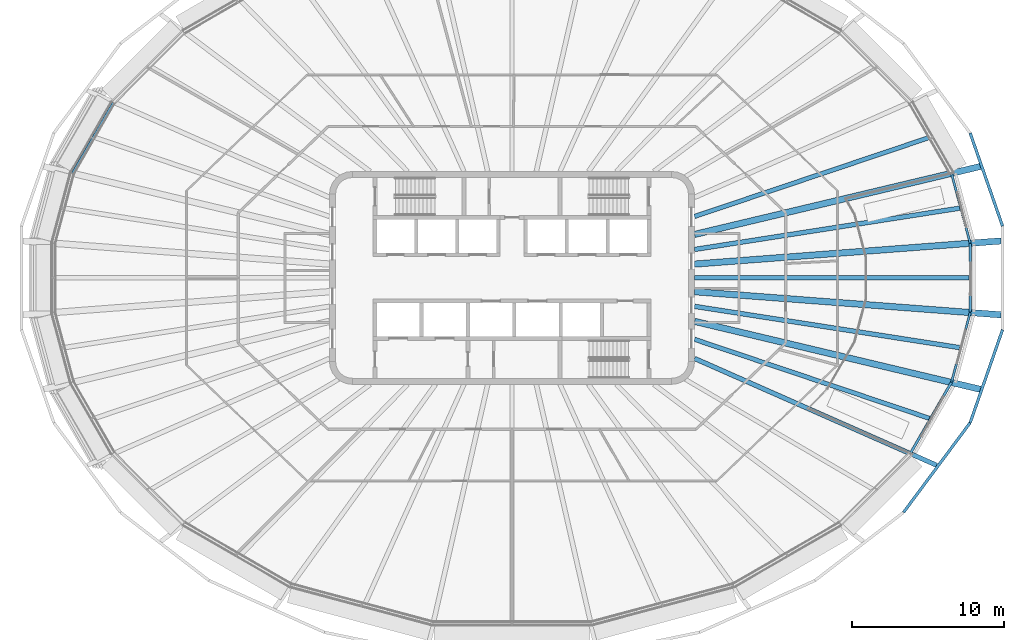
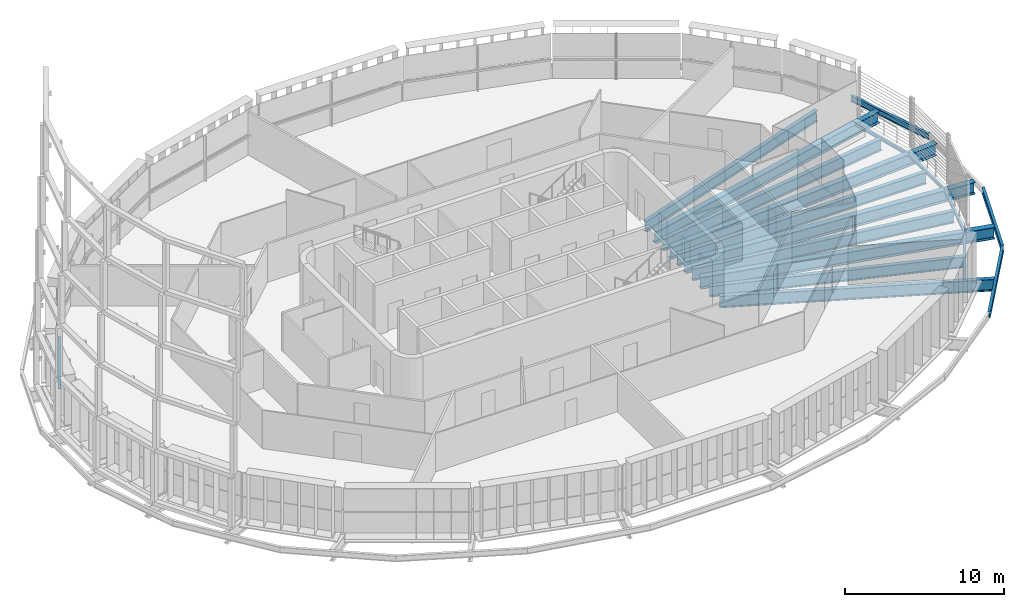
# One storey, part 4 of 21: 18 beams.
"""IFC4 building model written with IfcOpenShell, lengths in metres."""

from ifc_helpers import new_model, si_unit, direction, frame, origin, origin_2d, place, context, subcontext, project, spatial, i_section, extrude, material, material_profile, profile_set, type_object, element, save


model = new_model("IFC4")

# Units and contexts
model_context = context("Model", 3, precision=1e-05, world=origin(), true_north=direction((0.0, 1.0)))
body_context = subcontext(model_context, "Body", "Model", "MODEL_VIEW")
ifc_project = project(units=[si_unit("LENGTHUNIT", "METRE"), si_unit("AREAUNIT", "SQUARE_METRE"), si_unit("VOLUMEUNIT", "CUBIC_METRE"), si_unit("PLANEANGLEUNIT", "RADIAN"), si_unit("MASSUNIT", "GRAM", prefix="KILO")], contexts=[model_context])

# Site, building, storey
site_placement = place(None, origin())
site = spatial("IfcSite", under=ifc_project, at=site_placement, CompositionType="ELEMENT")
building_placement = place(site_placement, origin())
building = spatial("IfcBuilding", under=site, at=building_placement, Name="Sahrelin Media Tower", CompositionType="ELEMENT")
storey_placement = place(building_placement, frame((0.0, 0.0, 259.0)))
storey = spatial("IfcBuildingStorey", under=building, at=storey_placement, Name="L56", CompositionType="ELEMENT", Elevation=259.0)

# Beams
ifc_material = material(Name="Steel S355", Category="steel")
ifc_material_profile_1 = material_profile(ifc_material, i_section(OverallWidth=0.14599609375, OverallDepth=0.25146484375, WebThickness=0.006103515625, FlangeThickness=0.008544921875, FilletRadius=0.007568359375, at=origin_2d()), Name="UB 254x146x31")
ifc_profile_set_1 = profile_set([ifc_material_profile_1], Name="Steel S355")
beam_type_1 = type_object("IfcBeamType", Name="Edge beam EB1", PredefinedType="BEAM", material=ifc_profile_set_1)
beam_1_placement = place(storey_placement, frame((30.12548828125, 2.25439453125, -0.32568359375), z_axis=(0.0, -1.0, 0.0), x_axis=(1.0, 0.0, 0.0)))
element("IfcBeam", 1, at=beam_1_placement, inside=storey, type_object=beam_type_1, Name="Edge beam L56-01", PredefinedType="BEAM", context=body_context, shape_type="SweptSolid", body=[
    extrude(i_section(OverallWidth=0.14599609375, OverallDepth=0.25146484375, WebThickness=0.006103515625, FlangeThickness=0.008544921875, FilletRadius=0.007568359375, at=origin_2d()), origin(), (0.0, 0.0, 1.0), 4.5087890625),
])
for number, where, z_axis, x_axis, name in (
    (2, (30.12158203125, -2.283203125, -0.32568359375), (-0.25877749363, -0.965936959015, 0.0), (0.965936959015, -0.25877749363, 0.0), "Edge beam L56-02"),
    (3, (28.9013671875, 6.837890625, -0.32568359375), (0.25877749363, -0.965936959015, 0.0), (0.965936959015, 0.25877749363, 0.0), "Edge beam L56-24"),
):
    element("IfcBeam", number, at=place(storey_placement, frame(where, z_axis=z_axis, x_axis=x_axis)), inside=storey, type_object=beam_type_1, Name=name, PredefinedType="BEAM", context=body_context, shape_type="SweptSolid", body=[
        extrude(i_section(OverallWidth=0.14599609375, OverallDepth=0.25146484375, WebThickness=0.006103515625, FlangeThickness=0.008544921875, FilletRadius=0.007568359375, at=origin_2d()), origin(), (0.0, 0.0, 1.0), 4.71533203125),
    ])
ifc_material_profile_2 = material_profile(ifc_material, i_section(OverallWidth=0.1650390625, OverallDepth=0.303466796875, WebThickness=0.006103515625, FlangeThickness=0.01025390625, FilletRadius=0.0087890625, at=origin_2d()), Name="UB 305x165x40")
ifc_profile_set_2 = profile_set([ifc_material_profile_2], Name="Steel S355")
beam_type_2 = type_object("IfcBeamType", Name="Edge beam EB2", PredefinedType="BEAM", material=ifc_profile_set_2)
for number, where, z_axis, x_axis, name in (
    (4, (28.890380859375, -6.864501953125, -0.351806640625), (-0.500021961316, -0.866012724042, 0.0), (0.866012724042, -0.500021961316, 0.0), "Edge beam L56-03"),
    (5, (-28.890380859375, 6.864501953125, -0.3017578125), (0.500021961316, 0.866012724042, 0.0), (-0.866012724042, 0.500021961316, 0.0), "Edge beam L56-15"),
):
    element("IfcBeam", number, at=place(storey_placement, frame(where, z_axis=z_axis, x_axis=x_axis)), inside=storey, type_object=beam_type_2, Name=name, PredefinedType="BEAM", context=body_context, shape_type="SweptSolid", body=[
        extrude(i_section(OverallWidth=0.1650390625, OverallDepth=0.303466796875, WebThickness=0.006103515625, FlangeThickness=0.01025390625, FilletRadius=0.0087890625, at=origin_2d()), origin(), (0.0, 0.0, 1.0), 5.362548828125),
    ])
ifc_material_profile_3 = material_profile(ifc_material, i_section(OverallWidth=0.30322265625, OverallDepth=0.903076171875, WebThickness=0.01513671875, FlangeThickness=0.020263671875, FilletRadius=0.01904296875, at=origin_2d()), Name="UB 914x305x201")
ifc_profile_set_3 = profile_set([ifc_material_profile_3], Name="Steel S355")
beam_type_3 = type_object("IfcBeamType", Name="Radial primary beam PB11", PredefinedType="BEAM", material=ifc_profile_set_3)
beam_2_placement = place(storey_placement, frame((12.0, -5.29443359375, -0.651611328125), z_axis=(0.914908048248, -0.40366231339, 0.0), x_axis=(0.40366231339, 0.914908048248, 0.0)))
element("IfcBeam", 6, at=beam_2_placement, inside=storey, type_object=beam_type_3, Name="Radial beam L56-22", PredefinedType="BEAM", context=body_context, shape_type="SweptSolid", body=[
    extrude(i_section(OverallWidth=0.30322265625, OverallDepth=0.903076171875, WebThickness=0.01513671875, FlangeThickness=0.020263671875, FilletRadius=0.01904296875, at=origin_2d()), origin(), (0.0, 0.0, 1.0), 17.401123046875),
])
ifc_material_profile_4 = material_profile(ifc_material, i_section(OverallWidth=0.41845703125, OverallDepth=0.911865234375, WebThickness=0.019287109375, FlangeThickness=0.031982421875, FilletRadius=0.024169921875, at=origin_2d()), Name="UB 914x419x343")
ifc_profile_set_4 = profile_set([ifc_material_profile_4], Name="Steel S355")
beam_type_4 = type_object("IfcBeamType", Name="Radial primary beam PB12", PredefinedType="BEAM", material=ifc_profile_set_4)
beam_3_placement = place(storey_placement, frame((12.0, 0.9072265625, -0.656005859375), z_axis=(0.997154174378, 0.075389339564, 0.0), x_axis=(-0.075389339564, 0.997154174378, 0.0)))
element("IfcBeam", 7, at=beam_3_placement, inside=storey, type_object=beam_type_4, Name="Radial beam L56-01", PredefinedType="BEAM", context=body_context, shape_type="SweptSolid", body=[
    extrude(i_section(OverallWidth=0.41845703125, OverallDepth=0.911865234375, WebThickness=0.019287109375, FlangeThickness=0.031982421875, FilletRadius=0.024169921875, at=origin_2d()), origin(), (0.0, 0.0, 1.0), 20.2109375),
])
for number, where, z_axis, x_axis, name in (
    (8, (12.0, 2.85546875, -0.656005859375), (0.972837139941, 0.231490602728, 0.0), (-0.231490602728, 0.972837139941, 0.0), "Radial beam L56-02"),
    (9, (12.0, -2.85546875, -0.656005859375), (0.972837139941, -0.231490602728, 0.0), (0.231490602728, 0.972837139941, 0.0), "Radial beam L56-23"),
):
    element("IfcBeam", number, at=place(storey_placement, frame(where, z_axis=z_axis, x_axis=x_axis)), inside=storey, type_object=beam_type_4, Name=name, PredefinedType="BEAM", context=body_context, shape_type="SweptSolid", body=[
        extrude(i_section(OverallWidth=0.41845703125, OverallDepth=0.911865234375, WebThickness=0.019287109375, FlangeThickness=0.031982421875, FilletRadius=0.024169921875, at=origin_2d()), origin(), (0.0, 0.0, 1.0), 19.307373046875),
    ])
beam_4_placement = place(storey_placement, frame((12.0, -0.9072265625, -0.656005859375), z_axis=(0.997154174378, -0.075389339564, 0.0), x_axis=(0.075389339564, 0.997154174378, 0.0)))
element("IfcBeam", 10, at=beam_4_placement, inside=storey, type_object=beam_type_4, Name="Radial beam L56-24", PredefinedType="BEAM", context=body_context, shape_type="SweptSolid", body=[
    extrude(i_section(OverallWidth=0.41845703125, OverallDepth=0.911865234375, WebThickness=0.019287109375, FlangeThickness=0.031982421875, FilletRadius=0.024169921875, at=origin_2d()), origin(), (0.0, 0.0, 1.0), 20.2109375),
])
ifc_material_profile_5 = material_profile(ifc_material, i_section(OverallWidth=0.291748046875, OverallDepth=0.8349609375, WebThickness=0.013916015625, FlangeThickness=0.018798828125, FilletRadius=0.017822265625, at=origin_2d()), Name="UB 838x292x176")
ifc_profile_set_5 = profile_set([ifc_material_profile_5], Name="Steel S355")
beam_type_5 = type_object("IfcBeamType", Name="Radial secondary beam SB10", PredefinedType="BEAM", material=ifc_profile_set_5)
for number, where, z_axis, x_axis, name in (
    (11, (12.0, 4.03759765625, -0.5673828125), (0.947791754359, 0.318889934568, 0.0), (-0.318889934568, 0.947791754359, 0.0), "Secondary beam L56-02"),
    (12, (12.0, -4.03759765625, -0.617431640625), (0.947791754359, -0.318889934568, 0.0), (0.318889934568, 0.947791754359, 0.0), "Secondary beam L56-22"),
):
    element("IfcBeam", number, at=place(storey_placement, frame(where, z_axis=z_axis, x_axis=x_axis)), inside=storey, type_object=beam_type_5, Name=name, PredefinedType="BEAM", context=body_context, shape_type="SweptSolid", body=[
        extrude(i_section(OverallWidth=0.291748046875, OverallDepth=0.8349609375, WebThickness=0.013916015625, FlangeThickness=0.018798828125, FilletRadius=0.017822265625, at=origin_2d()), origin(), (0.0, 0.0, 1.0), 16.279541015625),
    ])
ifc_material_profile_6 = material_profile(ifc_material, i_section(OverallWidth=0.30322265625, OverallDepth=0.903076171875, WebThickness=0.01513671875, FlangeThickness=0.020263671875, FilletRadius=0.01904296875, at=origin_2d()), Name="UB 914x305x201")
ifc_profile_set_6 = profile_set([ifc_material_profile_6], Name="Steel S355")
beam_type_6 = type_object("IfcBeamType", Name="Radial secondary beam SB11", PredefinedType="BEAM", material=ifc_profile_set_6)
for number, where, z_axis, x_axis, name in (
    (13, (12.0, 1.869384765625, -0.651611328125), (0.988083373151, 0.153919614417, 0.0), (-0.153919614417, 0.988083373151, 0.0), "Secondary beam L56-01"),
    (14, (12.0, -1.869384765625, -0.651611328125), (0.988083373151, -0.153919614417, 0.0), (0.153919614417, 0.988083373151, 0.0), "Secondary beam L56-23"),
):
    element("IfcBeam", number, at=place(storey_placement, frame(where, z_axis=z_axis, x_axis=x_axis)), inside=storey, type_object=beam_type_6, Name=name, PredefinedType="BEAM", context=body_context, shape_type="SweptSolid", body=[
        extrude(i_section(OverallWidth=0.30322265625, OverallDepth=0.903076171875, WebThickness=0.01513671875, FlangeThickness=0.020263671875, FilletRadius=0.01904296875, at=origin_2d()), origin(), (0.0, 0.0, 1.0), 17.6396484375),
    ])
beam_5_placement = place(storey_placement, frame((12.0, 0.0, -0.651611328125), z_axis=(1.0, 0.0, 0.0), x_axis=(0.0, 1.0, 0.0)))
element("IfcBeam", 15, at=beam_5_placement, inside=storey, type_object=beam_type_6, Name="Secondary beam L56-24", PredefinedType="BEAM", context=body_context, shape_type="SweptSolid", body=[
    extrude(i_section(OverallWidth=0.30322265625, OverallDepth=0.903076171875, WebThickness=0.01513671875, FlangeThickness=0.020263671875, FilletRadius=0.01904296875, at=origin_2d()), origin(), (0.0, 0.0, 1.0), 18.052490234375),
])
ifc_material_profile_7 = material_profile(ifc_material, i_section(OverallWidth=0.1904296875, OverallDepth=0.45703125, WebThickness=0.009033203125, FlangeThickness=0.014404296875, FilletRadius=0.01025390625, at=origin_2d()), Name="UB 457x191x74")
ifc_profile_set_7 = profile_set([ifc_material_profile_7], Name="Steel S355")
beam_type_7 = type_object("IfcBeamType", Name="Tie chord TC5", PredefinedType="BEAM", material=ifc_profile_set_7)
beam_6_placement = place(storey_placement, frame((32.24853515625, 3.404541015625, -0.37841796875), z_axis=(-0.328777991124, 0.944407238723, 0.0), x_axis=(-0.944407238723, -0.328777991124, 0.0)))
element("IfcBeam", 16, at=beam_6_placement, inside=storey, type_object=beam_type_7, Name="Tie chord L56-01", PredefinedType="BEAM", context=body_context, shape_type="SweptSolid", body=[
    extrude(i_section(OverallWidth=0.1904296875, OverallDepth=0.45703125, WebThickness=0.009033203125, FlangeThickness=0.014404296875, FilletRadius=0.01025390625, at=origin_2d()), origin(), (0.0, 0.0, 1.0), 6.47509765625),
])
beam_7_placement = place(storey_placement, frame((25.736572265625, -15.41650390625, -0.37841796875), z_axis=(0.59655461982, 0.802572479949, 0.0), x_axis=(-0.802572479949, 0.59655461982, 0.0)))
element("IfcBeam", 17, at=beam_7_placement, inside=storey, type_object=beam_type_7, Name="Tie chord L56-22", PredefinedType="BEAM", context=body_context, shape_type="SweptSolid", body=[
    extrude(i_section(OverallWidth=0.1904296875, OverallDepth=0.45703125, WebThickness=0.009033203125, FlangeThickness=0.014404296875, FilletRadius=0.01025390625, at=origin_2d()), origin(), (0.0, 0.0, 1.0), 7.34716796875),
])
beam_8_placement = place(storey_placement, frame((30.11962890625, -9.519775390625, -0.37841796875), z_axis=(0.328777991124, 0.944407238723, 0.0), x_axis=(-0.944407238723, 0.328777991124, 0.0)))
element("IfcBeam", 18, at=beam_8_placement, inside=storey, type_object=beam_type_7, Name="Tie chord L56-23", PredefinedType="BEAM", context=body_context, shape_type="SweptSolid", body=[
    extrude(i_section(OverallWidth=0.1904296875, OverallDepth=0.45703125, WebThickness=0.009033203125, FlangeThickness=0.014404296875, FilletRadius=0.01025390625, at=origin_2d()), origin(), (0.0, 0.0, 1.0), 6.47509765625),
])

save(model, "model.ifc")
